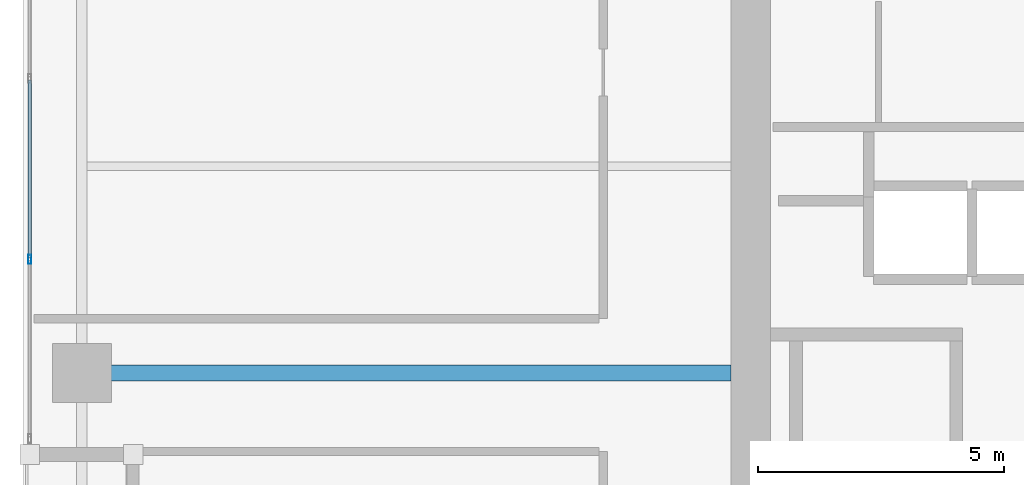
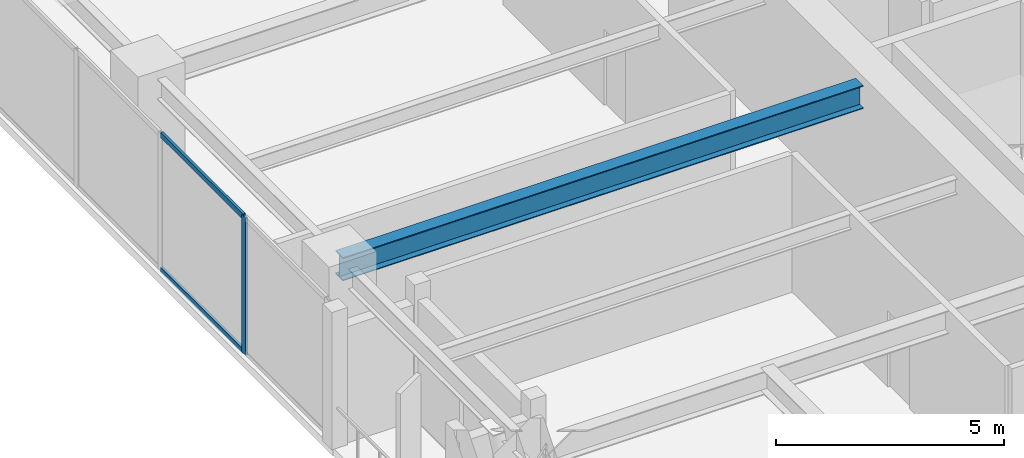
# One storey, part 4 of 30: 3 members, 1 beam, 1 element without a shape of its own.
"""IFC4 building model written with IfcOpenShell, lengths in metres."""

import ifcopenshell
import ifcopenshell.guid

model = None  # the IFC model being written
_history = None  # IfcOwnerHistory: only IFC2X3 demands one
_inside = {}  # id of a spatial element -> (the spatial element, [elements in it])
_under = {}  # id of a project, library or spatial element -> (it, [spatial elements below it])
_declared = {}  # id of a project -> (the project, [libraries it declares])
_typed = {}  # id of a type object -> (the type object, [elements of that type])
_made_of = {}  # id of a material, layer set ... -> (it, [elements and type objects made of it])


def new_model(schema):
    """Start an empty IFC model of exactly this schema.

    Asked for "IFC4X3", IfcOpenShell would pick the latest addendum, in which some entities
    have other attributes; the version numbers below select the first issue.
    IFC2X3 requires an IfcOwnerHistory on every rooted entity: one is made here for all.
    """
    global model, _history
    if schema == "IFC4X3":
        model = ifcopenshell.file(schema_version=(4, 3, 0, 0))
    else:
        model = ifcopenshell.file(schema=schema)
    _inside.clear()
    _under.clear()
    _declared.clear()
    _typed.clear()
    _made_of.clear()
    _history = None
    if model.schema == "IFC2X3":
        org = make("IfcOrganization", Name="unknown")
        user = make(
            "IfcPersonAndOrganization",
            ThePerson=make("IfcPerson", FamilyName="unknown"),
            TheOrganization=org,
        )
        app = make(
            "IfcApplication",
            ApplicationDeveloper=org,
            Version="unknown",
            ApplicationFullName="unknown",
            ApplicationIdentifier="unknown",
        )
        _history = make(
            "IfcOwnerHistory",
            OwningUser=user,
            OwningApplication=app,
            ChangeAction="ADDED",
            CreationDate=0,
        )
    return model


def make(cls, **values):
    """One entity of the class cls with the attributes given. An attribute that is None is left unset."""
    return model.create_entity(
        cls, **{name: value for name, value in values.items() if value is not None}
    )


def rooted(cls, **values):
    """An entity with a GlobalId (a new one), such as an element, a storey or a relation."""
    return make(cls, GlobalId=ifcopenshell.guid.new(), OwnerHistory=_history, **values)


def si_unit(unit_type, name, prefix=None):
    """IfcSIUnit, for example si_unit("LENGTHUNIT", "METRE", prefix="MILLI")."""
    return make("IfcSIUnit", UnitType=unit_type, Prefix=prefix, Name=name)


def assignment(units):
    """IfcUnitAssignment: the units of a project."""
    return None if units is None else make("IfcUnitAssignment", Units=units)


def point(xyz):
    """IfcCartesianPoint."""
    return None if xyz is None else make("IfcCartesianPoint", Coordinates=xyz)


def direction(xyz):
    """IfcDirection."""
    return None if xyz is None else make("IfcDirection", DirectionRatios=xyz)


def frame(location, z_axis=None, x_axis=None):
    """IfcAxis2Placement3D, a coordinate frame: its origin and axes. An axis left out is left unset."""
    return make(
        "IfcAxis2Placement3D",
        Location=point(location),
        Axis=direction(z_axis),
        RefDirection=direction(x_axis),
    )


def frame_2d(location, x_axis=None):
    """IfcAxis2Placement2D, a coordinate frame in the plane: its origin and x axis."""
    return make(
        "IfcAxis2Placement2D", Location=point(location), RefDirection=direction(x_axis)
    )


def origin():
    """The frame at (0, 0, 0) with its axes left unset."""
    return frame((0.0, 0.0, 0.0))


def origin_2d():
    """The frame at (0, 0) in the plane with its x axis left unset."""
    return frame_2d((0.0, 0.0))


def place(relative_to, where):
    """IfcLocalPlacement: puts the frame where relative to a parent placement (None: the world)."""
    return make(
        "IfcLocalPlacement", PlacementRelTo=relative_to, RelativePlacement=where
    )


def context(
    kind, dimensions, precision=None, world=None, true_north=None, identifier=None
):
    """IfcGeometricRepresentationContext, for example the 3D "Model" context."""
    return make(
        "IfcGeometricRepresentationContext",
        ContextIdentifier=identifier,
        ContextType=kind,
        CoordinateSpaceDimension=dimensions,
        Precision=precision,
        WorldCoordinateSystem=world,
        TrueNorth=true_north,
    )


def subcontext(parent, identifier, kind, view, scale=None):
    """IfcGeometricRepresentationSubContext, for example "Body" below "Model"."""
    return make(
        "IfcGeometricRepresentationSubContext",
        ContextIdentifier=identifier,
        ContextType=kind,
        ParentContext=parent,
        TargetScale=scale,
        TargetView=view,
    )


def project(units=None, contexts=None):
    """IfcProject with its units and contexts."""
    return rooted(
        "IfcProject",
        Name="project",
        RepresentationContexts=contexts,
        UnitsInContext=assignment(units),
    )


def spatial(cls, under=None, at=None, **own):
    """A site, building, storey or space (cls), placed at a placement, below another one or the project."""
    s = rooted(cls, ObjectPlacement=at, **own)
    if under is not None:
        _under.setdefault(under.id(), (under, []))[1].append(s)
    return s


def profile(cls, at=None, kind="AREA", **sizes):
    """A parametric profile (cls). Its sizes go by their IFC names, for example OverallWidth=200.0."""
    return make(cls, ProfileType=kind, Position=at, **sizes)


def hollow_rectangle(**sizes):
    """IfcRectangleHollowProfileDef."""
    return profile("IfcRectangleHollowProfileDef", **sizes)


def i_section(**sizes):
    """IfcIShapeProfileDef."""
    return profile("IfcIShapeProfileDef", **sizes)


def extrude(swept, where, along, depth):
    """IfcExtrudedAreaSolid: the profile swept, set in the frame where, extruded along a direction by depth."""
    return make(
        "IfcExtrudedAreaSolid",
        SweptArea=swept,
        Position=where,
        ExtrudedDirection=direction(along),
        Depth=depth,
    )


def shape(context_of_items, identifier, shape_type, items):
    """IfcShapeRepresentation: the items that make up one representation, for example the "Body"."""
    return make(
        "IfcShapeRepresentation",
        ContextOfItems=context_of_items,
        RepresentationIdentifier=identifier,
        RepresentationType=shape_type,
        Items=items,
    )


def material(Name=None, Category=None):
    """IfcMaterial."""
    return make("IfcMaterial", Name=Name, Category=Category)


def layer(
    of_material, thickness, ventilated=None, Name=None, Category=None, Priority=None
):
    """IfcMaterialLayer: one layer of a wall or slab, of a material (None: an air gap)."""
    return make(
        "IfcMaterialLayer",
        Material=of_material,
        LayerThickness=thickness,
        IsVentilated=ventilated,
        Name=Name,
        Category=Category,
        Priority=Priority,
    )


def layer_set(layers, Name=None):
    """IfcMaterialLayerSet."""
    return make("IfcMaterialLayerSet", MaterialLayers=layers, LayerSetName=Name)


def material_profile(
    of_material, cross_section, Name=None, Category=None, Priority=None
):
    """IfcMaterialProfile: a cross section and its material."""
    return make(
        "IfcMaterialProfile",
        Name=Name,
        Material=of_material,
        Profile=cross_section,
        Priority=Priority,
        Category=Category,
    )


def profile_set(profiles, Name=None, composite=None):
    """IfcMaterialProfileSet."""
    return make(
        "IfcMaterialProfileSet",
        Name=Name,
        MaterialProfiles=profiles,
        CompositeProfile=composite,
    )


def made_of(thing, what):
    """Note that an element or type object is made of a material, layer set ...; save() writes the relation."""
    if what is not None:
        _made_of.setdefault(what.id(), (what, []))[1].append(thing)
    return thing


def type_object(cls, material=None, **own):
    """A type object (cls), such as IfcWallType, which elements share."""
    return made_of(rooted(cls, **own), material)


def element(
    cls,
    number,
    at=None,
    inside=None,
    cuts=None,
    type_object=None,
    material=None,
    context=None,
    identifier="Body",
    shape_type=None,
    held_by="IfcProductDefinitionShape",
    body=None,
    shapes=None,
    **own,
):
    """One element of the class cls, such as IfcWall. Its Tag is "e" and its number.

    at: its placement. inside: the storey or other place that contains it. cuts: it is an
    opening in that element (IfcRelVoidsElement). A single representation is given by context,
    identifier, shape_type and body (its items); several are given by shapes. held_by: the class
    of the entity that holds the representations. save() writes the other relations.
    """
    e = rooted(cls, Tag="e%d" % number, ObjectPlacement=at, **own)
    if body is not None:
        shapes = [shape(context, identifier, shape_type, body)]
    if shapes is not None:
        e.Representation = make(held_by, Representations=shapes)
    if inside is not None:
        _inside.setdefault(inside.id(), (inside, []))[1].append(e)
    if cuts is not None:
        rooted(
            "IfcRelVoidsElement", RelatingBuildingElement=cuts, RelatedOpeningElement=e
        )
    if type_object is not None:
        _typed.setdefault(type_object.id(), (type_object, []))[1].append(e)
    return made_of(e, material)


def aggregate(whole, parts):
    """IfcRelAggregates: a whole, such as a stair, and the parts it consists of."""
    return rooted("IfcRelAggregates", RelatingObject=whole, RelatedObjects=parts)


def save(model, path):
    """Write the relations noted so far, then the file.

    IfcRelAggregates (storeys below a building ...), IfcRelContainedInSpatialStructure (elements
    in a storey), IfcRelDefinesByType, IfcRelAssociatesMaterial and IfcRelDeclares: one each for
    every whole, place, type object, material and project.
    """
    for whole, parts in _under.values():
        aggregate(whole, parts)
    for where, things in _inside.values():
        rooted(
            "IfcRelContainedInSpatialStructure",
            RelatedElements=things,
            RelatingStructure=where,
        )
    for kind, things in _typed.values():
        rooted("IfcRelDefinesByType", RelatedObjects=things, RelatingType=kind)
    for what, things in _made_of.values():
        rooted("IfcRelAssociatesMaterial", RelatedObjects=things, RelatingMaterial=what)
    for by, libraries in _declared.values():
        rooted("IfcRelDeclares", RelatingContext=by, RelatedDefinitions=libraries)
    model.write(path)


model = new_model("IFC4")

# Units and contexts
model_context = context("Model", 3, precision=1e-05, world=origin(), true_north=direction((0.0, 1.0)))
body_context = subcontext(model_context, "Body", "Model", "MODEL_VIEW")
ifc_project = project(units=[si_unit("LENGTHUNIT", "METRE"), si_unit("AREAUNIT", "SQUARE_METRE"), si_unit("VOLUMEUNIT", "CUBIC_METRE"), si_unit("PLANEANGLEUNIT", "RADIAN"), si_unit("MASSUNIT", "GRAM", prefix="KILO")], contexts=[model_context])

# Site, building, storey
site_placement = place(None, origin())
site = spatial("IfcSite", under=ifc_project, at=site_placement, CompositionType="ELEMENT")
building_placement = place(site_placement, origin())
building = spatial("IfcBuilding", under=site, at=building_placement, Name="Kiyonajd Concourse Tower", CompositionType="ELEMENT")
storey_placement = place(building_placement, frame((0.0, 0.0, 162.300048828125)))
storey = spatial("IfcBuildingStorey", under=building, at=storey_placement, Name="L41", CompositionType="ELEMENT", Elevation=162.300048828125)

# Beam
ifc_material_1 = material(Name="Steel ASTM A992 Grade 50", Category="steel")
ifc_material_profile_1 = material_profile(ifc_material_1, i_section(OverallWidth=0.326904296875, OverallDepth=0.6220703125, WebThickness=0.015380859375, FlangeThickness=0.0244140625, at=origin_2d()), Name="W610X195")
ifc_profile_set_1 = profile_set([ifc_material_profile_1], Name="Steel ASTM A992 Grade 50")
beam_type = type_object("IfcBeamType", Name="BM-TWR-610A", PredefinedType="BEAM", material=ifc_profile_set_1)
beam_placement = place(storey_placement, frame((19.199951171875, 36.0, 3.368896484375), z_axis=(1.0, 0.0, 0.0), x_axis=(0.0, 1.0, 0.0)))
element("IfcBeam", 1, at=beam_placement, inside=storey, type_object=beam_type, Name="L41 West Lease Girder", PredefinedType="BEAM", context=body_context, shape_type="SweptSolid", body=[
    extrude(i_section(OverallWidth=0.326904296875, OverallDepth=0.6220703125, WebThickness=0.015380859375, FlangeThickness=0.0244140625, at=origin_2d()), origin(), (0.0, 0.0, 1.0), 13.199951171875),
])

# Curtain wall, members
ifc_material_2 = material(Name="Thermally Broken Anodised Aluminium", Category="aluminium")
ifc_layer = layer(ifc_material_2, 0.179931640625)
ifc_layer_set = layer_set([ifc_layer], Name="Thermally Broken Anodised Aluminium")
curtain_wall_type = type_object("IfcCurtainWallType", Name="CW-SYS-03", PredefinedType="NOTDEFINED", material=ifc_layer_set)
curtain_wall_placement = place(storey_placement, origin())
curtain_wall = element("IfcCurtainWall", 2, at=curtain_wall_placement, inside=storey, type_object=curtain_wall_type, Name="L41 Unitised Curtain Wall CW3", PredefinedType="NOTDEFINED")
ifc_material_profile_2 = material_profile(ifc_material_2, hollow_rectangle(XDim=0.06494140625, YDim=0.179931640625, WallThickness=0.00390625, at=origin_2d()), Name="MULL-65x180")
ifc_profile_set_2 = profile_set([ifc_material_profile_2], Name="Thermally Broken Anodised Aluminium")
member_type_1 = type_object("IfcMemberType", Name="MB-CW-MULL1", PredefinedType="MULLION", material=ifc_profile_set_2)
member_1_placement = place(storey_placement, frame((18.139892578125, 38.306884765625, 0.0), z_axis=(0.0, 0.0, 1.0), x_axis=(-1.0, 0.0, 0.0)))
member_1 = element("IfcMember", 3, at=member_1_placement, type_object=member_type_1, Name="CW3 mullion 2", PredefinedType="MULLION", context=body_context, shape_type="SweptSolid", body=[
    extrude(hollow_rectangle(XDim=0.06494140625, YDim=0.179931640625, WallThickness=0.00390625, at=origin_2d()), origin(), (0.0, 0.0, 1.0), 3.679931640625),
])
ifc_material_profile_3 = material_profile(ifc_material_2, hollow_rectangle(XDim=0.06494140625, YDim=0.139892578125, WallThickness=0.00390625, at=origin_2d()), Name="TRAN-65x140")
ifc_profile_set_3 = profile_set([ifc_material_profile_3], Name="Thermally Broken Anodised Aluminium")
member_type_2 = type_object("IfcMemberType", Name="MB-CW-TRAN1", PredefinedType="USERDEFINED", material=ifc_profile_set_3)
member_2_placement = place(storey_placement, frame((18.139892578125, 38.33935546875, 0.032470703125), z_axis=(0.0, 1.0, 0.0), x_axis=(-1.0, 0.0, 0.0)))
member_2 = element("IfcMember", 4, at=member_2_placement, type_object=member_type_2, Name="CW3 transom 2.1", ObjectType="TRANSOM", PredefinedType="USERDEFINED", context=body_context, shape_type="SweptSolid", body=[
    extrude(hollow_rectangle(XDim=0.06494140625, YDim=0.139892578125, WallThickness=0.00390625, at=origin_2d()), origin(), (0.0, 0.0, 1.0), 3.612060546875),
])
member_3_placement = place(storey_placement, frame((18.139892578125, 38.33935546875, 3.6474609375), z_axis=(0.0, 1.0, 0.0), x_axis=(-1.0, 0.0, 0.0)))
member_3 = element("IfcMember", 5, at=member_3_placement, type_object=member_type_2, Name="CW3 transom 2.2", ObjectType="TRANSOM", PredefinedType="USERDEFINED", context=body_context, shape_type="SweptSolid", body=[
    extrude(hollow_rectangle(XDim=0.06494140625, YDim=0.139892578125, WallThickness=0.00390625, at=origin_2d()), origin(), (0.0, 0.0, 1.0), 3.612060546875),
])
aggregate(curtain_wall, [member_1, member_2, member_3])

save(model, "model.ifc")
